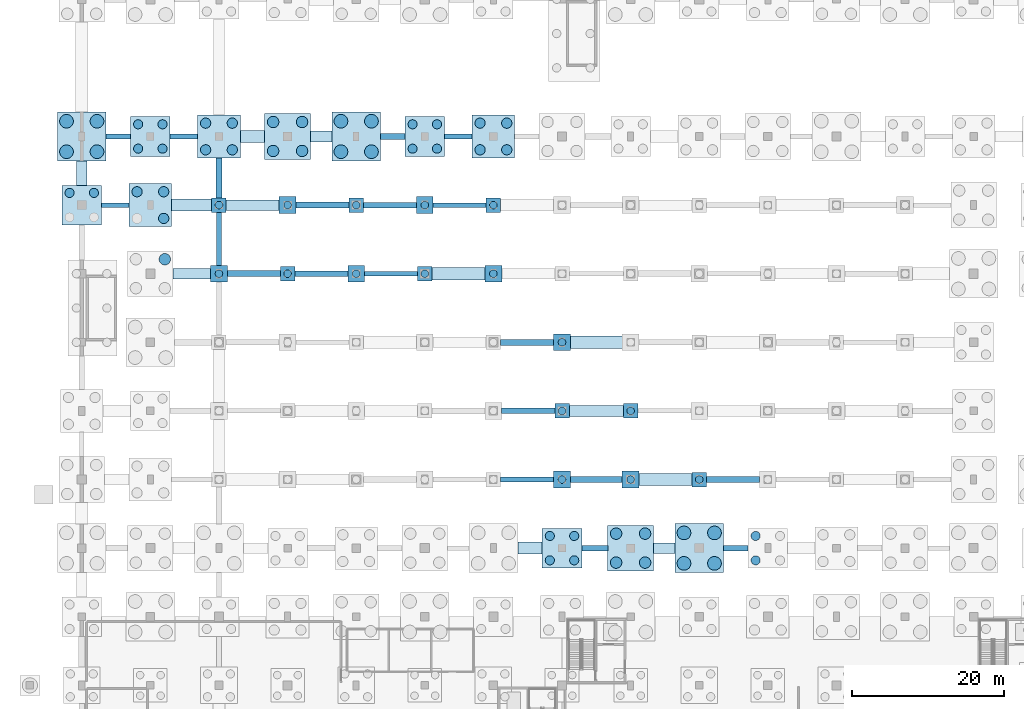
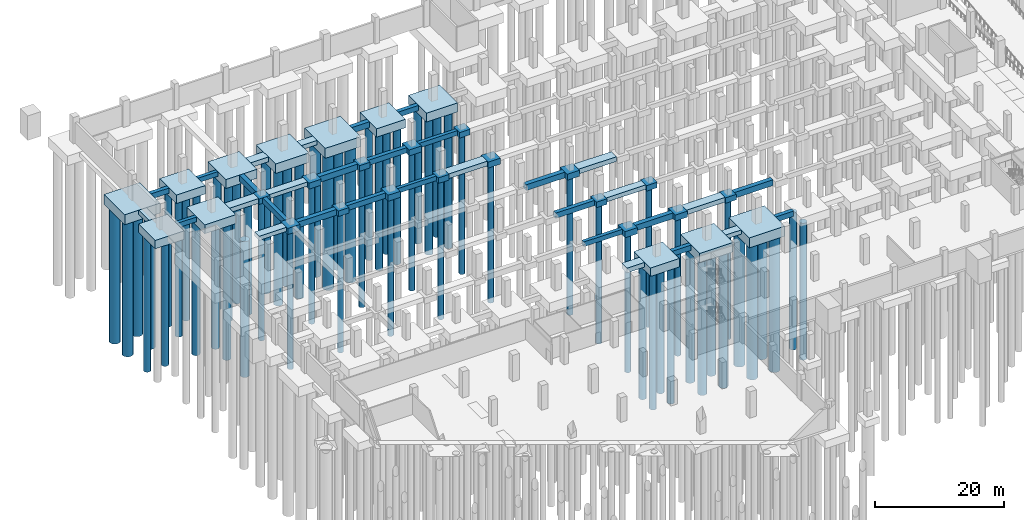
# One storey, part 5 of 37: 64 piles, 60 footings.
"""IFC4 building model written with IfcOpenShell, lengths in metres."""

import ifcopenshell
import ifcopenshell.guid

model = None  # the IFC model being written
_history = None  # IfcOwnerHistory: only IFC2X3 demands one
_inside = {}  # id of a spatial element -> (the spatial element, [elements in it])
_under = {}  # id of a project, library or spatial element -> (it, [spatial elements below it])
_declared = {}  # id of a project -> (the project, [libraries it declares])
_typed = {}  # id of a type object -> (the type object, [elements of that type])
_made_of = {}  # id of a material, layer set ... -> (it, [elements and type objects made of it])


def new_model(schema):
    """Start an empty IFC model of exactly this schema.

    Asked for "IFC4X3", IfcOpenShell would pick the latest addendum, in which some entities
    have other attributes; the version numbers below select the first issue.
    IFC2X3 requires an IfcOwnerHistory on every rooted entity: one is made here for all.
    """
    global model, _history
    if schema == "IFC4X3":
        model = ifcopenshell.file(schema_version=(4, 3, 0, 0))
    else:
        model = ifcopenshell.file(schema=schema)
    _inside.clear()
    _under.clear()
    _declared.clear()
    _typed.clear()
    _made_of.clear()
    _history = None
    if model.schema == "IFC2X3":
        org = make("IfcOrganization", Name="unknown")
        user = make(
            "IfcPersonAndOrganization",
            ThePerson=make("IfcPerson", FamilyName="unknown"),
            TheOrganization=org,
        )
        app = make(
            "IfcApplication",
            ApplicationDeveloper=org,
            Version="unknown",
            ApplicationFullName="unknown",
            ApplicationIdentifier="unknown",
        )
        _history = make(
            "IfcOwnerHistory",
            OwningUser=user,
            OwningApplication=app,
            ChangeAction="ADDED",
            CreationDate=0,
        )
    return model


def make(cls, **values):
    """One entity of the class cls with the attributes given. An attribute that is None is left unset."""
    return model.create_entity(
        cls, **{name: value for name, value in values.items() if value is not None}
    )


def rooted(cls, **values):
    """An entity with a GlobalId (a new one), such as an element, a storey or a relation."""
    return make(cls, GlobalId=ifcopenshell.guid.new(), OwnerHistory=_history, **values)


def si_unit(unit_type, name, prefix=None):
    """IfcSIUnit, for example si_unit("LENGTHUNIT", "METRE", prefix="MILLI")."""
    return make("IfcSIUnit", UnitType=unit_type, Prefix=prefix, Name=name)


def assignment(units):
    """IfcUnitAssignment: the units of a project."""
    return None if units is None else make("IfcUnitAssignment", Units=units)


def point(xyz):
    """IfcCartesianPoint."""
    return None if xyz is None else make("IfcCartesianPoint", Coordinates=xyz)


def direction(xyz):
    """IfcDirection."""
    return None if xyz is None else make("IfcDirection", DirectionRatios=xyz)


def frame(location, z_axis=None, x_axis=None):
    """IfcAxis2Placement3D, a coordinate frame: its origin and axes. An axis left out is left unset."""
    return make(
        "IfcAxis2Placement3D",
        Location=point(location),
        Axis=direction(z_axis),
        RefDirection=direction(x_axis),
    )


def frame_2d(location, x_axis=None):
    """IfcAxis2Placement2D, a coordinate frame in the plane: its origin and x axis."""
    return make(
        "IfcAxis2Placement2D", Location=point(location), RefDirection=direction(x_axis)
    )


def origin():
    """The frame at (0, 0, 0) with its axes left unset."""
    return frame((0.0, 0.0, 0.0))


def origin_2d():
    """The frame at (0, 0) in the plane with its x axis left unset."""
    return frame_2d((0.0, 0.0))


def place(relative_to, where):
    """IfcLocalPlacement: puts the frame where relative to a parent placement (None: the world)."""
    return make(
        "IfcLocalPlacement", PlacementRelTo=relative_to, RelativePlacement=where
    )


def context(
    kind, dimensions, precision=None, world=None, true_north=None, identifier=None
):
    """IfcGeometricRepresentationContext, for example the 3D "Model" context."""
    return make(
        "IfcGeometricRepresentationContext",
        ContextIdentifier=identifier,
        ContextType=kind,
        CoordinateSpaceDimension=dimensions,
        Precision=precision,
        WorldCoordinateSystem=world,
        TrueNorth=true_north,
    )


def subcontext(parent, identifier, kind, view, scale=None):
    """IfcGeometricRepresentationSubContext, for example "Body" below "Model"."""
    return make(
        "IfcGeometricRepresentationSubContext",
        ContextIdentifier=identifier,
        ContextType=kind,
        ParentContext=parent,
        TargetScale=scale,
        TargetView=view,
    )


def project(units=None, contexts=None):
    """IfcProject with its units and contexts."""
    return rooted(
        "IfcProject",
        Name="project",
        RepresentationContexts=contexts,
        UnitsInContext=assignment(units),
    )


def spatial(cls, under=None, at=None, **own):
    """A site, building, storey or space (cls), placed at a placement, below another one or the project."""
    s = rooted(cls, ObjectPlacement=at, **own)
    if under is not None:
        _under.setdefault(under.id(), (under, []))[1].append(s)
    return s


def profile(cls, at=None, kind="AREA", **sizes):
    """A parametric profile (cls). Its sizes go by their IFC names, for example OverallWidth=200.0."""
    return make(cls, ProfileType=kind, Position=at, **sizes)


def rectangle(**sizes):
    """IfcRectangleProfileDef."""
    return profile("IfcRectangleProfileDef", **sizes)


def circle(**sizes):
    """IfcCircleProfileDef."""
    return profile("IfcCircleProfileDef", **sizes)


def extrude(swept, where, along, depth):
    """IfcExtrudedAreaSolid: the profile swept, set in the frame where, extruded along a direction by depth."""
    return make(
        "IfcExtrudedAreaSolid",
        SweptArea=swept,
        Position=where,
        ExtrudedDirection=direction(along),
        Depth=depth,
    )


def shape(context_of_items, identifier, shape_type, items):
    """IfcShapeRepresentation: the items that make up one representation, for example the "Body"."""
    return make(
        "IfcShapeRepresentation",
        ContextOfItems=context_of_items,
        RepresentationIdentifier=identifier,
        RepresentationType=shape_type,
        Items=items,
    )


def material(Name=None, Category=None):
    """IfcMaterial."""
    return make("IfcMaterial", Name=Name, Category=Category)


def material_profile(
    of_material, cross_section, Name=None, Category=None, Priority=None
):
    """IfcMaterialProfile: a cross section and its material."""
    return make(
        "IfcMaterialProfile",
        Name=Name,
        Material=of_material,
        Profile=cross_section,
        Priority=Priority,
        Category=Category,
    )


def profile_set(profiles, Name=None, composite=None):
    """IfcMaterialProfileSet."""
    return make(
        "IfcMaterialProfileSet",
        Name=Name,
        MaterialProfiles=profiles,
        CompositeProfile=composite,
    )


def made_of(thing, what):
    """Note that an element or type object is made of a material, layer set ...; save() writes the relation."""
    if what is not None:
        _made_of.setdefault(what.id(), (what, []))[1].append(thing)
    return thing


def type_object(cls, material=None, **own):
    """A type object (cls), such as IfcWallType, which elements share."""
    return made_of(rooted(cls, **own), material)


def element(
    cls,
    number,
    at=None,
    inside=None,
    cuts=None,
    type_object=None,
    material=None,
    context=None,
    identifier="Body",
    shape_type=None,
    held_by="IfcProductDefinitionShape",
    body=None,
    shapes=None,
    **own,
):
    """One element of the class cls, such as IfcWall. Its Tag is "e" and its number.

    at: its placement. inside: the storey or other place that contains it. cuts: it is an
    opening in that element (IfcRelVoidsElement). A single representation is given by context,
    identifier, shape_type and body (its items); several are given by shapes. held_by: the class
    of the entity that holds the representations. save() writes the other relations.
    """
    e = rooted(cls, Tag="e%d" % number, ObjectPlacement=at, **own)
    if body is not None:
        shapes = [shape(context, identifier, shape_type, body)]
    if shapes is not None:
        e.Representation = make(held_by, Representations=shapes)
    if inside is not None:
        _inside.setdefault(inside.id(), (inside, []))[1].append(e)
    if cuts is not None:
        rooted(
            "IfcRelVoidsElement", RelatingBuildingElement=cuts, RelatedOpeningElement=e
        )
    if type_object is not None:
        _typed.setdefault(type_object.id(), (type_object, []))[1].append(e)
    return made_of(e, material)


def aggregate(whole, parts):
    """IfcRelAggregates: a whole, such as a stair, and the parts it consists of."""
    return rooted("IfcRelAggregates", RelatingObject=whole, RelatedObjects=parts)


def save(model, path):
    """Write the relations noted so far, then the file.

    IfcRelAggregates (storeys below a building ...), IfcRelContainedInSpatialStructure (elements
    in a storey), IfcRelDefinesByType, IfcRelAssociatesMaterial and IfcRelDeclares: one each for
    every whole, place, type object, material and project.
    """
    for whole, parts in _under.values():
        aggregate(whole, parts)
    for where, things in _inside.values():
        rooted(
            "IfcRelContainedInSpatialStructure",
            RelatedElements=things,
            RelatingStructure=where,
        )
    for kind, things in _typed.values():
        rooted("IfcRelDefinesByType", RelatedObjects=things, RelatingType=kind)
    for what, things in _made_of.values():
        rooted("IfcRelAssociatesMaterial", RelatedObjects=things, RelatingMaterial=what)
    for by, libraries in _declared.values():
        rooted("IfcRelDeclares", RelatingContext=by, RelatedDefinitions=libraries)
    model.write(path)


model = new_model("IFC4")

# Units and contexts
model_context = context("Model", 3, precision=1e-05, world=origin(), true_north=direction((0.0, 1.0)))
body_context = subcontext(model_context, "Body", "Model", "MODEL_VIEW")
ifc_project = project(units=[si_unit("LENGTHUNIT", "METRE"), si_unit("AREAUNIT", "SQUARE_METRE"), si_unit("VOLUMEUNIT", "CUBIC_METRE"), si_unit("PLANEANGLEUNIT", "RADIAN"), si_unit("MASSUNIT", "GRAM", prefix="KILO")], contexts=[model_context])

# Site, building, storey
site_placement = place(None, origin())
site = spatial("IfcSite", under=ifc_project, at=site_placement, CompositionType="ELEMENT")
building_placement = place(site_placement, origin())
building = spatial("IfcBuilding", under=site, at=building_placement, Name="Barlavento Convention Centre", CompositionType="ELEMENT")
storey_placement = place(building_placement, frame((0.0, 0.0, -5.0)))
storey = spatial("IfcBuildingStorey", under=building, at=storey_placement, Name="B1", CompositionType="ELEMENT", Elevation=-5.0)

# Footings
ifc_material = material(Name="Concrete C40/50", Category="concrete")
footing_type_1 = type_object("IfcFootingType", Name="STR-FND-GB-600X900", PredefinedType="FOOTING_BEAM", material=ifc_material)
for number, where, z_axis, x_axis, name in (
    (1, (4.39990234375, 108.0, -0.89990234375), (0.0, 0.0, 1.0), (1.0, 0.0, 0.0), "Ground tie footing GB01"),
    (2, (13.39990234375, 117.0, -0.89990234375), (0.0, 0.0, 1.0), (1.0, 0.0, 0.0), "Ground tie footing GB01"),
):
    element("IfcFooting", number, at=place(storey_placement, frame(where, z_axis=z_axis, x_axis=x_axis)), inside=storey, type_object=footing_type_1, Name=name, PredefinedType="FOOTING_BEAM", context=body_context, shape_type="SweptSolid", body=[
        extrude(rectangle(XDim=3.610107421875, YDim=0.60009765625, at=origin_2d()), origin(), (0.0, 0.0, 1.0), 0.89990234375),
    ])
for number, where, z_axis, x_axis, name in (
    (3, (40.574951171875, 99.0, -0.89990234375), (0.0, 0.0, 1.0), (1.0, 0.0, 0.0), "Ground tie footing GB01"),
    (4, (49.574951171875, 108.0, -0.89990234375), (0.0, 0.0, 1.0), (1.0, 0.0, 0.0), "Ground tie footing GB01"),
    (5, (58.425048828125, 72.0, -0.89990234375), (0.0, 0.0, 1.0), (1.0, 0.0, 0.0), "Ground tie footing GB01"),
):
    element("IfcFooting", number, at=place(storey_placement, frame(where, z_axis=z_axis, x_axis=x_axis)), inside=storey, type_object=footing_type_1, Name=name, PredefinedType="FOOTING_BEAM", context=body_context, shape_type="SweptSolid", body=[
        extrude(rectangle(XDim=6.9599609375, YDim=0.60009765625, at=origin_2d()), origin(), (0.0, 0.0, 1.0), 0.89990234375),
    ])
footing_type_2 = type_object("IfcFootingType", Name="STR-FND-GB-700X1000", PredefinedType="FOOTING_BEAM", material=ifc_material)
footing_1_placement = place(storey_placement, frame((4.800048828125, 117.0, -1.0), z_axis=(0.0, 0.0, 1.0), x_axis=(1.0, 0.0, 0.0)))
element("IfcFooting", 6, at=footing_1_placement, inside=storey, type_object=footing_type_2, Name="Ground tie footing GB02", PredefinedType="FOOTING_BEAM", context=body_context, shape_type="SweptSolid", body=[
    extrude(rectangle(XDim=3.2099609375, YDim=0.699951171875, at=origin_2d()), origin(), (0.0, 0.0, 1.0), 1.0),
])
for number, where, z_axis, x_axis, name in (
    (7, (31.425048828125, 99.0, -1.0), (0.0, 0.0, 1.0), (1.0, 0.0, 0.0), "Ground tie footing GB02"),
    (8, (40.425048828125, 108.0, -1.0), (0.0, 0.0, 1.0), (1.0, 0.0, 0.0), "Ground tie footing GB02"),
):
    element("IfcFooting", number, at=place(storey_placement, frame(where, z_axis=z_axis, x_axis=x_axis)), inside=storey, type_object=footing_type_2, Name=name, PredefinedType="FOOTING_BEAM", context=body_context, shape_type="SweptSolid", body=[
        extrude(rectangle(XDim=6.9599609375, YDim=0.699951171875, at=origin_2d()), origin(), (0.0, 0.0, 1.0), 1.0),
    ])
footing_2_placement = place(storey_placement, frame((49.39990234375, 117.0, -1.0), z_axis=(0.0, 0.0, 1.0), x_axis=(1.0, 0.0, 0.0)))
element("IfcFooting", 9, at=footing_2_placement, inside=storey, type_object=footing_type_2, Name="Ground tie footing GB02", PredefinedType="FOOTING_BEAM", context=body_context, shape_type="SweptSolid", body=[
    extrude(rectangle(XDim=3.610107421875, YDim=0.699951171875, at=origin_2d()), origin(), (0.0, 0.0, 1.0), 1.0),
])
footing_3_placement = place(storey_placement, frame((58.574951171875, 81.0, -1.0), z_axis=(0.0, 0.0, 1.0), x_axis=(1.0, 0.0, 0.0)))
element("IfcFooting", 10, at=footing_3_placement, inside=storey, type_object=footing_type_2, Name="Ground tie footing GB02", PredefinedType="FOOTING_BEAM", context=body_context, shape_type="SweptSolid", body=[
    extrude(rectangle(XDim=6.9599609375, YDim=0.699951171875, at=origin_2d()), origin(), (0.0, 0.0, 1.0), 1.0),
])
footing_4_placement = place(storey_placement, frame((67.300048828125, 63.0, -1.0), z_axis=(0.0, 0.0, 1.0), x_axis=(1.0, 0.0, 0.0)))
element("IfcFooting", 11, at=footing_4_placement, inside=storey, type_object=footing_type_2, Name="Ground tie footing GB02", PredefinedType="FOOTING_BEAM", context=body_context, shape_type="SweptSolid", body=[
    extrude(rectangle(XDim=3.409912109375, YDim=0.699951171875, at=origin_2d()), origin(), (0.0, 0.0, 1.0), 1.0),
])
footing_5_placement = place(storey_placement, frame((85.800048828125, 63.0, -1.0), z_axis=(0.0, 0.0, 1.0), x_axis=(1.0, 0.0, 0.0)))
element("IfcFooting", 12, at=footing_5_placement, inside=storey, type_object=footing_type_2, Name="Ground tie footing GB02", PredefinedType="FOOTING_BEAM", context=body_context, shape_type="SweptSolid", body=[
    extrude(rectangle(XDim=3.2099609375, YDim=0.699951171875, at=origin_2d()), origin(), (0.0, 0.0, 1.0), 1.0),
])
footing_6_placement = place(storey_placement, frame((18.0, 103.574951171875, -1.0), z_axis=(0.0, 0.0, 1.0), x_axis=(1.0, 0.0, 0.0)))
element("IfcFooting", 13, at=footing_6_placement, inside=storey, type_object=footing_type_2, Name="Ground tie footing GB02", PredefinedType="FOOTING_BEAM", context=body_context, shape_type="SweptSolid", body=[
    extrude(rectangle(XDim=0.699951171875, YDim=6.9599609375, at=origin_2d()), origin(), (0.0, 0.0, 1.0), 1.0),
])
footing_type_3 = type_object("IfcFootingType", Name="STR-FND-GB-800X1100", PredefinedType="FOOTING_BEAM", material=ifc_material)
for number, where, z_axis, x_axis, name in (
    (14, (22.574951171875, 99.0, -1.10009765625), (0.0, 0.0, 1.0), (1.0, 0.0, 0.0), "Ground tie footing GB03"),
    (15, (31.574951171875, 108.0, -1.10009765625), (0.0, 0.0, 1.0), (1.0, 0.0, 0.0), "Ground tie footing GB03"),
):
    element("IfcFooting", number, at=place(storey_placement, frame(where, z_axis=z_axis, x_axis=x_axis)), inside=storey, type_object=footing_type_3, Name=name, PredefinedType="FOOTING_BEAM", context=body_context, shape_type="SweptSolid", body=[
        extrude(rectangle(XDim=6.9599609375, YDim=0.800048828125, at=origin_2d()), origin(), (0.0, 0.0, 1.0), 1.10009765625),
    ])
footing_7_placement = place(storey_placement, frame((40.800048828125, 117.0, -1.10009765625), z_axis=(0.0, 0.0, 1.0), x_axis=(1.0, 0.0, 0.0)))
element("IfcFooting", 16, at=footing_7_placement, inside=storey, type_object=footing_type_3, Name="Ground tie footing GB03", PredefinedType="FOOTING_BEAM", context=body_context, shape_type="SweptSolid", body=[
    extrude(rectangle(XDim=3.2099609375, YDim=0.800048828125, at=origin_2d()), origin(), (0.0, 0.0, 1.0), 1.10009765625),
])
footing_8_placement = place(storey_placement, frame((58.425048828125, 90.0, -1.10009765625), z_axis=(0.0, 0.0, 1.0), x_axis=(1.0, 0.0, 0.0)))
element("IfcFooting", 17, at=footing_8_placement, inside=storey, type_object=footing_type_3, Name="Ground tie footing GB03", PredefinedType="FOOTING_BEAM", context=body_context, shape_type="SweptSolid", body=[
    extrude(rectangle(XDim=6.9599609375, YDim=0.800048828125, at=origin_2d()), origin(), (0.0, 0.0, 1.0), 1.10009765625),
])
footing_9_placement = place(storey_placement, frame((67.5, 72.0, -1.10009765625), z_axis=(0.0, 0.0, 1.0), x_axis=(1.0, 0.0, 0.0)))
element("IfcFooting", 18, at=footing_9_placement, inside=storey, type_object=footing_type_3, Name="Ground tie footing GB03", PredefinedType="FOOTING_BEAM", context=body_context, shape_type="SweptSolid", body=[
    extrude(rectangle(XDim=6.81005859375, YDim=0.800048828125, at=origin_2d()), origin(), (0.0, 0.0, 1.0), 1.10009765625),
])
footing_10_placement = place(storey_placement, frame((85.425048828125, 72.0, -1.10009765625), z_axis=(0.0, 0.0, 1.0), x_axis=(1.0, 0.0, 0.0)))
element("IfcFooting", 19, at=footing_10_placement, inside=storey, type_object=footing_type_3, Name="Ground tie footing GB03", PredefinedType="FOOTING_BEAM", context=body_context, shape_type="SweptSolid", body=[
    extrude(rectangle(XDim=6.9599609375, YDim=0.800048828125, at=origin_2d()), origin(), (0.0, 0.0, 1.0), 1.10009765625),
])
footing_11_placement = place(storey_placement, frame((18.0, 111.574951171875, -1.10009765625), z_axis=(0.0, 0.0, 1.0), x_axis=(1.0, 0.0, 0.0)))
element("IfcFooting", 20, at=footing_11_placement, inside=storey, type_object=footing_type_3, Name="Ground tie footing GB03", PredefinedType="FOOTING_BEAM", context=body_context, shape_type="SweptSolid", body=[
    extrude(rectangle(XDim=0.800048828125, YDim=5.260009765625, at=origin_2d()), origin(), (0.0, 0.0, 1.0), 1.10009765625),
])
footing_type_4 = type_object("IfcFootingType", Name="STR-FND-PC1-1900", PredefinedType="PILE_CAP", material=ifc_material)
for number, where, z_axis, x_axis, name in (
    (21, (18.0, 108.0, -1.0498046875), (0.0, 0.0, 1.0), (1.0, 0.0, 0.0), "Pile cap PC01 at 3-N"),
    (22, (27.0, 99.0, -1.0498046875), (0.0, 0.0, 1.0), (1.0, 0.0, 0.0), "Pile cap PC01 at 4-M"),
    (23, (36.0, 108.0, -1.0498046875), (0.0, 0.0, 1.0), (1.0, 0.0, 0.0), "Pile cap PC01 at 5-N"),
    (24, (45.0, 99.0, -1.0498046875), (0.0, 0.0, 1.0), (1.0, 0.0, 0.0), "Pile cap PC01 at 6-M"),
    (25, (54.0, 108.0, -1.0498046875), (0.0, 0.0, 1.0), (1.0, 0.0, 0.0), "Pile cap PC01 at 7-N"),
    (26, (63.0, 81.0, -1.0498046875), (0.0, 0.0, 1.0), (1.0, 0.0, 0.0), "Pile cap PC01 at 8-K"),
    (27, (72.0, 81.0, -1.0498046875), (0.0, 0.0, 1.0), (1.0, 0.0, 0.0), "Pile cap PC01 at 9-K"),
    (28, (81.0, 72.0, -1.0498046875), (0.0, 0.0, 1.0), (1.0, 0.0, 0.0), "Pile cap PC01 at 10-J"),
):
    element("IfcFooting", number, at=place(storey_placement, frame(where, z_axis=z_axis, x_axis=x_axis)), inside=storey, type_object=footing_type_4, Name=name, PredefinedType="PILE_CAP", context=body_context, shape_type="SweptSolid", body=[
        extrude(rectangle(XDim=1.89990234375, YDim=1.89990234375, at=origin_2d()), origin(), (0.0, 0.0, 1.0), 1.050048828125),
    ])
footing_type_5 = type_object("IfcFootingType", Name="STR-FND-PC1-2200", PredefinedType="PILE_CAP", material=ifc_material)
for number, where, z_axis, x_axis, name in (
    (29, (18.0, 99.0, -1.14990234375), (0.0, 0.0, 1.0), (1.0, 0.0, 0.0), "Pile cap PC02 at 3-M"),
    (30, (27.0, 108.0, -1.14990234375), (0.0, 0.0, 1.0), (1.0, 0.0, 0.0), "Pile cap PC02 at 4-N"),
    (31, (36.0, 99.0, -1.14990234375), (0.0, 0.0, 1.0), (1.0, 0.0, 0.0), "Pile cap PC02 at 5-M"),
    (32, (45.0, 108.0, -1.14990234375), (0.0, 0.0, 1.0), (1.0, 0.0, 0.0), "Pile cap PC02 at 6-N"),
    (33, (54.0, 99.0, -1.14990234375), (0.0, 0.0, 1.0), (1.0, 0.0, 0.0), "Pile cap PC02 at 7-M"),
    (34, (63.0, 72.0, -1.14990234375), (0.0, 0.0, 1.0), (1.0, 0.0, 0.0), "Pile cap PC02 at 8-J"),
    (35, (63.0, 90.0, -1.14990234375), (0.0, 0.0, 1.0), (1.0, 0.0, 0.0), "Pile cap PC02 at 8-L"),
    (36, (72.0, 72.0, -1.14990234375), (0.0, 0.0, 1.0), (1.0, 0.0, 0.0), "Pile cap PC02 at 9-J"),
):
    element("IfcFooting", number, at=place(storey_placement, frame(where, z_axis=z_axis, x_axis=x_axis)), inside=storey, type_object=footing_type_5, Name=name, PredefinedType="PILE_CAP", context=body_context, shape_type="SweptSolid", body=[
        extrude(rectangle(XDim=2.199951171875, YDim=2.199951171875, at=origin_2d()), origin(), (0.0, 0.0, 1.0), 1.14990234375),
    ])
footing_type_6 = type_object("IfcFootingType", Name="STR-FND-PC4-5200", PredefinedType="PILE_CAP", material=ifc_material)
for number, where, z_axis, x_axis, name in (
    (37, (0.0, 108.0, -1.60009765625), (0.0, 0.0, 1.0), (1.0, 0.0, 0.0), "Pile cap PC09 at 1-N"),
    (38, (9.0, 117.0, -1.60009765625), (0.0, 0.0, 1.0), (1.0, 0.0, 0.0), "Pile cap PC09 at 2-P"),
    (39, (45.0, 117.0, -1.60009765625), (0.0, 0.0, 1.0), (1.0, 0.0, 0.0), "Pile cap PC09 at 6-P"),
    (40, (63.0, 63.0, -1.60009765625), (0.0, 0.0, 1.0), (1.0, 0.0, 0.0), "Pile cap PC09 at 8-H"),
):
    element("IfcFooting", number, at=place(storey_placement, frame(where, z_axis=z_axis, x_axis=x_axis)), inside=storey, type_object=footing_type_6, Name=name, PredefinedType="PILE_CAP", context=body_context, shape_type="SweptSolid", body=[
        extrude(rectangle(XDim=5.199951171875, YDim=5.199951171875, at=origin_2d()), origin(), (0.0, 0.0, 1.0), 1.60009765625),
    ])
footing_type_7 = type_object("IfcFootingType", Name="STR-FND-PC4-5600", PredefinedType="PILE_CAP", material=ifc_material)
for number, where, z_axis, x_axis, name in (
    (41, (9.0, 108.0, -1.7001953125), (0.0, 0.0, 1.0), (1.0, 0.0, 0.0), "Pile cap PC10 at 2-N"),
    (42, (18.0, 117.0, -1.7001953125), (0.0, 0.0, 1.0), (1.0, 0.0, 0.0), "Pile cap PC10 at 3-P"),
    (43, (54.0, 117.0, -1.7001953125), (0.0, 0.0, 1.0), (1.0, 0.0, 0.0), "Pile cap PC10 at 7-P"),
):
    element("IfcFooting", number, at=place(storey_placement, frame(where, z_axis=z_axis, x_axis=x_axis)), inside=storey, type_object=footing_type_7, Name=name, PredefinedType="PILE_CAP", context=body_context, shape_type="SweptSolid", body=[
        extrude(rectangle(XDim=5.60009765625, YDim=5.60009765625, at=origin_2d()), origin(), (0.0, 0.0, 1.0), 1.699951171875),
    ])
footing_type_8 = type_object("IfcFootingType", Name="STR-FND-PC4-6000", PredefinedType="PILE_CAP", material=ifc_material)
for number, where, z_axis, x_axis, name in (
    (44, (27.0, 117.0, -1.7998046875), (0.0, 0.0, 1.0), (1.0, 0.0, 0.0), "Pile cap PC11 at 4-P"),
    (45, (72.0, 63.0, -1.7998046875), (0.0, 0.0, 1.0), (1.0, 0.0, 0.0), "Pile cap PC11 at 9-H"),
):
    element("IfcFooting", number, at=place(storey_placement, frame(where, z_axis=z_axis, x_axis=x_axis)), inside=storey, type_object=footing_type_8, Name=name, PredefinedType="PILE_CAP", context=body_context, shape_type="SweptSolid", body=[
        extrude(rectangle(XDim=6.0, YDim=6.0, at=origin_2d()), origin(), (0.0, 0.0, 1.0), 1.800048828125),
    ])
footing_type_9 = type_object("IfcFootingType", Name="STR-FND-PC4-6400", PredefinedType="PILE_CAP", material=ifc_material)
for number, where, z_axis, x_axis, name in (
    (46, (0.0, 117.0, -1.89990234375), (0.0, 0.0, 1.0), (1.0, 0.0, 0.0), "Pile cap PC12 at 1-P"),
    (47, (36.0, 117.0, -1.89990234375), (0.0, 0.0, 1.0), (1.0, 0.0, 0.0), "Pile cap PC12 at 5-P"),
    (48, (81.0, 63.0, -1.89990234375), (0.0, 0.0, 1.0), (1.0, 0.0, 0.0), "Pile cap PC12 at 10-H"),
):
    element("IfcFooting", number, at=place(storey_placement, frame(where, z_axis=z_axis, x_axis=x_axis)), inside=storey, type_object=footing_type_9, Name=name, PredefinedType="PILE_CAP", context=body_context, shape_type="SweptSolid", body=[
        extrude(rectangle(XDim=6.39990234375, YDim=6.39990234375, at=origin_2d()), origin(), (0.0, 0.0, 1.0), 1.89990234375),
    ])
footing_type_10 = type_object("IfcFootingType", Name="STR-FND-SF-1400X800", PredefinedType="STRIP_FOOTING", material=ifc_material)
footing_12_placement = place(storey_placement, frame((14.449951171875, 99.0, -0.7998046875), z_axis=(0.0, 0.0, 1.0), x_axis=(1.0, 0.0, 0.0)))
element("IfcFooting", 49, at=footing_12_placement, inside=storey, type_object=footing_type_10, Name="Ground tie footing SF01", PredefinedType="STRIP_FOOTING", context=body_context, shape_type="SweptSolid", body=[
    extrude(rectangle(XDim=4.909912109375, YDim=1.39990234375, at=origin_2d()), origin(), (0.0, 0.0, 1.0), 0.800048828125),
])
footing_13_placement = place(storey_placement, frame((22.425048828125, 108.0, -0.7998046875), z_axis=(0.0, 0.0, 1.0), x_axis=(1.0, 0.0, 0.0)))
element("IfcFooting", 50, at=footing_13_placement, inside=storey, type_object=footing_type_10, Name="Ground tie footing SF01", PredefinedType="STRIP_FOOTING", context=body_context, shape_type="SweptSolid", body=[
    extrude(rectangle(XDim=6.9599609375, YDim=1.39990234375, at=origin_2d()), origin(), (0.0, 0.0, 1.0), 0.800048828125),
])
footing_14_placement = place(storey_placement, frame((31.39990234375, 117.0, -0.7998046875), z_axis=(0.0, 0.0, 1.0), x_axis=(1.0, 0.0, 0.0)))
element("IfcFooting", 51, at=footing_14_placement, inside=storey, type_object=footing_type_10, Name="Ground tie footing SF01", PredefinedType="STRIP_FOOTING", context=body_context, shape_type="SweptSolid", body=[
    extrude(rectangle(XDim=2.81005859375, YDim=1.39990234375, at=origin_2d()), origin(), (0.0, 0.0, 1.0), 0.800048828125),
])
footing_15_placement = place(storey_placement, frame((67.5, 81.0, -0.7998046875), z_axis=(0.0, 0.0, 1.0), x_axis=(1.0, 0.0, 0.0)))
element("IfcFooting", 52, at=footing_15_placement, inside=storey, type_object=footing_type_10, Name="Ground tie footing SF01", PredefinedType="STRIP_FOOTING", context=body_context, shape_type="SweptSolid", body=[
    extrude(rectangle(XDim=7.110107421875, YDim=1.39990234375, at=origin_2d()), origin(), (0.0, 0.0, 1.0), 0.800048828125),
])
footing_16_placement = place(storey_placement, frame((76.39990234375, 63.0, -0.7998046875), z_axis=(0.0, 0.0, 1.0), x_axis=(1.0, 0.0, 0.0)))
element("IfcFooting", 53, at=footing_16_placement, inside=storey, type_object=footing_type_10, Name="Ground tie footing SF01", PredefinedType="STRIP_FOOTING", context=body_context, shape_type="SweptSolid", body=[
    extrude(rectangle(XDim=2.81005859375, YDim=1.39990234375, at=origin_2d()), origin(), (0.0, 0.0, 1.0), 0.800048828125),
])
footing_17_placement = place(storey_placement, frame((0.0, 112.199951171875, -0.7998046875), z_axis=(0.0, 0.0, 1.0), x_axis=(1.0, 0.0, 0.0)))
element("IfcFooting", 54, at=footing_17_placement, inside=storey, type_object=footing_type_10, Name="Ground tie footing SF01", PredefinedType="STRIP_FOOTING", context=body_context, shape_type="SweptSolid", body=[
    extrude(rectangle(XDim=1.39990234375, YDim=3.2099609375, at=origin_2d()), origin(), (0.0, 0.0, 1.0), 0.800048828125),
])
footing_type_11 = type_object("IfcFootingType", Name="STR-FND-SF-1600X900", PredefinedType="STRIP_FOOTING", material=ifc_material)
footing_18_placement = place(storey_placement, frame((14.425048828125, 108.0, -0.89990234375), z_axis=(0.0, 0.0, 1.0), x_axis=(1.0, 0.0, 0.0)))
element("IfcFooting", 55, at=footing_18_placement, inside=storey, type_object=footing_type_11, Name="Ground tie footing SF02", PredefinedType="STRIP_FOOTING", context=body_context, shape_type="SweptSolid", body=[
    extrude(rectangle(XDim=5.260009765625, YDim=1.60009765625, at=origin_2d()), origin(), (0.0, 0.0, 1.0), 0.89990234375),
])
footing_19_placement = place(storey_placement, frame((22.39990234375, 117.0, -0.89990234375), z_axis=(0.0, 0.0, 1.0), x_axis=(1.0, 0.0, 0.0)))
element("IfcFooting", 56, at=footing_19_placement, inside=storey, type_object=footing_type_11, Name="Ground tie footing SF02", PredefinedType="STRIP_FOOTING", context=body_context, shape_type="SweptSolid", body=[
    extrude(rectangle(XDim=3.2099609375, YDim=1.60009765625, at=origin_2d()), origin(), (0.0, 0.0, 1.0), 0.89990234375),
])
footing_20_placement = place(storey_placement, frame((49.425048828125, 99.0, -0.89990234375), z_axis=(0.0, 0.0, 1.0), x_axis=(1.0, 0.0, 0.0)))
element("IfcFooting", 57, at=footing_20_placement, inside=storey, type_object=footing_type_11, Name="Ground tie footing SF02", PredefinedType="STRIP_FOOTING", context=body_context, shape_type="SweptSolid", body=[
    extrude(rectangle(XDim=6.9599609375, YDim=1.60009765625, at=origin_2d()), origin(), (0.0, 0.0, 1.0), 0.89990234375),
])
footing_21_placement = place(storey_placement, frame((58.800048828125, 63.0, -0.89990234375), z_axis=(0.0, 0.0, 1.0), x_axis=(1.0, 0.0, 0.0)))
element("IfcFooting", 58, at=footing_21_placement, inside=storey, type_object=footing_type_11, Name="Ground tie footing SF02", PredefinedType="STRIP_FOOTING", context=body_context, shape_type="SweptSolid", body=[
    extrude(rectangle(XDim=3.2099609375, YDim=1.60009765625, at=origin_2d()), origin(), (0.0, 0.0, 1.0), 0.89990234375),
])
footing_22_placement = place(storey_placement, frame((67.5, 90.0, -0.89990234375), z_axis=(0.0, 0.0, 1.0), x_axis=(1.0, 0.0, 0.0)))
element("IfcFooting", 59, at=footing_22_placement, inside=storey, type_object=footing_type_11, Name="Ground tie footing SF02", PredefinedType="STRIP_FOOTING", context=body_context, shape_type="SweptSolid", body=[
    extrude(rectangle(XDim=6.81005859375, YDim=1.60009765625, at=origin_2d()), origin(), (0.0, 0.0, 1.0), 0.89990234375),
])
footing_23_placement = place(storey_placement, frame((76.574951171875, 72.0, -0.89990234375), z_axis=(0.0, 0.0, 1.0), x_axis=(1.0, 0.0, 0.0)))
element("IfcFooting", 60, at=footing_23_placement, inside=storey, type_object=footing_type_11, Name="Ground tie footing SF02", PredefinedType="STRIP_FOOTING", context=body_context, shape_type="SweptSolid", body=[
    extrude(rectangle(XDim=6.9599609375, YDim=1.60009765625, at=origin_2d()), origin(), (0.0, 0.0, 1.0), 0.89990234375),
])

# Piles
ifc_material_profile_1 = material_profile(ifc_material, circle(Radius=0.5, at=origin_2d()), Name="BORED PILE 1000")
ifc_profile_set_1 = profile_set([ifc_material_profile_1], Name="Concrete C40/50")
pile_type_1 = type_object("IfcPileType", Name="STR-PIL-B1000", PredefinedType="BORED", material=ifc_profile_set_1)
pile_1_placement = place(storey_placement, frame((18.0, 99.0, -1.050048828125), z_axis=(0.0, 0.0, -1.0), x_axis=(1.0, 0.0, 0.0)))
element("IfcPile", 61, at=pile_1_placement, inside=storey, type_object=pile_type_1, Name="Bored pile P10 under FND-CAP-0040", PredefinedType="BORED", context=body_context, shape_type="SweptSolid", body=[
    extrude(circle(Radius=0.5, at=origin_2d()), origin(), (0.0, 0.0, 1.0), 26.449951171875),
])
for number, where, z_axis, x_axis, name in (
    (62, (18.0, 108.0, -0.949951171875), (0.0, 0.0, -1.0), (1.0, 0.0, 0.0), "Bored pile P10 under FND-CAP-0041"),
    (63, (27.0, 99.0, -0.949951171875), (0.0, 0.0, -1.0), (1.0, 0.0, 0.0), "Bored pile P10 under FND-CAP-0055"),
):
    element("IfcPile", number, at=place(storey_placement, frame(where, z_axis=z_axis, x_axis=x_axis)), inside=storey, type_object=pile_type_1, Name=name, PredefinedType="BORED", context=body_context, shape_type="SweptSolid", body=[
        extrude(circle(Radius=0.5, at=origin_2d()), origin(), (0.0, 0.0, 1.0), 26.550048828125),
    ])
for number, where, z_axis, x_axis, name in (
    (64, (27.0, 108.0, -1.050048828125), (0.0, 0.0, -1.0), (1.0, 0.0, 0.0), "Bored pile P10 under FND-CAP-0056"),
    (65, (36.0, 99.0, -1.050048828125), (0.0, 0.0, -1.0), (1.0, 0.0, 0.0), "Bored pile P10 under FND-CAP-0070"),
):
    element("IfcPile", number, at=place(storey_placement, frame(where, z_axis=z_axis, x_axis=x_axis)), inside=storey, type_object=pile_type_1, Name=name, PredefinedType="BORED", context=body_context, shape_type="SweptSolid", body=[
        extrude(circle(Radius=0.5, at=origin_2d()), origin(), (0.0, 0.0, 1.0), 26.449951171875),
    ])
for number, where, z_axis, x_axis, name in (
    (66, (36.0, 108.0, -0.949951171875), (0.0, 0.0, -1.0), (1.0, 0.0, 0.0), "Bored pile P10 under FND-CAP-0071"),
    (67, (45.0, 99.0, -0.949951171875), (0.0, 0.0, -1.0), (1.0, 0.0, 0.0), "Bored pile P10 under FND-CAP-0085"),
):
    element("IfcPile", number, at=place(storey_placement, frame(where, z_axis=z_axis, x_axis=x_axis)), inside=storey, type_object=pile_type_1, Name=name, PredefinedType="BORED", context=body_context, shape_type="SweptSolid", body=[
        extrude(circle(Radius=0.5, at=origin_2d()), origin(), (0.0, 0.0, 1.0), 26.550048828125),
    ])
for number, where, z_axis, x_axis, name in (
    (68, (45.0, 108.0, -1.050048828125), (0.0, 0.0, -1.0), (1.0, 0.0, 0.0), "Bored pile P10 under FND-CAP-0086"),
    (69, (54.0, 99.0, -1.050048828125), (0.0, 0.0, -1.0), (1.0, 0.0, 0.0), "Bored pile P10 under FND-CAP-0100"),
):
    element("IfcPile", number, at=place(storey_placement, frame(where, z_axis=z_axis, x_axis=x_axis)), inside=storey, type_object=pile_type_1, Name=name, PredefinedType="BORED", context=body_context, shape_type="SweptSolid", body=[
        extrude(circle(Radius=0.5, at=origin_2d()), origin(), (0.0, 0.0, 1.0), 26.449951171875),
    ])
pile_2_placement = place(storey_placement, frame((54.0, 108.0, -0.949951171875), z_axis=(0.0, 0.0, -1.0), x_axis=(1.0, 0.0, 0.0)))
element("IfcPile", 70, at=pile_2_placement, inside=storey, type_object=pile_type_1, Name="Bored pile P10 under FND-CAP-0101", PredefinedType="BORED", context=body_context, shape_type="SweptSolid", body=[
    extrude(circle(Radius=0.5, at=origin_2d()), origin(), (0.0, 0.0, 1.0), 26.550048828125),
])
pile_3_placement = place(storey_placement, frame((63.0, 72.0, -1.050048828125), z_axis=(0.0, 0.0, -1.0), x_axis=(1.0, 0.0, 0.0)))
element("IfcPile", 71, at=pile_3_placement, inside=storey, type_object=pile_type_1, Name="Bored pile P10 under FND-CAP-0112", PredefinedType="BORED", context=body_context, shape_type="SweptSolid", body=[
    extrude(circle(Radius=0.5, at=origin_2d()), origin(), (0.0, 0.0, 1.0), 26.449951171875),
])
pile_4_placement = place(storey_placement, frame((63.0, 81.0, -0.949951171875), z_axis=(0.0, 0.0, -1.0), x_axis=(1.0, 0.0, 0.0)))
element("IfcPile", 72, at=pile_4_placement, inside=storey, type_object=pile_type_1, Name="Bored pile P10 under FND-CAP-0113", PredefinedType="BORED", context=body_context, shape_type="SweptSolid", body=[
    extrude(circle(Radius=0.5, at=origin_2d()), origin(), (0.0, 0.0, 1.0), 26.550048828125),
])
for number, where, z_axis, x_axis, name in (
    (73, (63.0, 90.0, -1.050048828125), (0.0, 0.0, -1.0), (1.0, 0.0, 0.0), "Bored pile P10 under FND-CAP-0114"),
    (74, (72.0, 72.0, -1.050048828125), (0.0, 0.0, -1.0), (1.0, 0.0, 0.0), "Bored pile P10 under FND-CAP-0122"),
):
    element("IfcPile", number, at=place(storey_placement, frame(where, z_axis=z_axis, x_axis=x_axis)), inside=storey, type_object=pile_type_1, Name=name, PredefinedType="BORED", context=body_context, shape_type="SweptSolid", body=[
        extrude(circle(Radius=0.5, at=origin_2d()), origin(), (0.0, 0.0, 1.0), 26.449951171875),
    ])
for number, where, z_axis, x_axis, name in (
    (75, (72.0, 81.0, -0.949951171875), (0.0, 0.0, -1.0), (1.0, 0.0, 0.0), "Bored pile P10 under FND-CAP-0123"),
    (76, (81.0, 72.0, -0.949951171875), (0.0, 0.0, -1.0), (1.0, 0.0, 0.0), "Bored pile P10 under FND-CAP-0133"),
):
    element("IfcPile", number, at=place(storey_placement, frame(where, z_axis=z_axis, x_axis=x_axis)), inside=storey, type_object=pile_type_1, Name=name, PredefinedType="BORED", context=body_context, shape_type="SweptSolid", body=[
        extrude(circle(Radius=0.5, at=origin_2d()), origin(), (0.0, 0.0, 1.0), 26.550048828125),
    ])
ifc_material_profile_2 = material_profile(ifc_material, circle(Radius=0.60009765625, at=origin_2d()), Name="BORED PILE 1200")
ifc_profile_set_2 = profile_set([ifc_material_profile_2], Name="Concrete C40/50")
pile_type_2 = type_object("IfcPileType", Name="STR-PIL-B1200", PredefinedType="BORED", material=ifc_profile_set_2)
for number, where, z_axis, x_axis, name in (
    (77, (-1.60009765625, 109.60009765625, -1.5), (0.0, 0.0, -1.0), (1.0, 0.0, 0.0), "Bored pile P12 under FND-CAP-0011"),
    (78, (1.60009765625, 109.60009765625, -1.5), (0.0, 0.0, -1.0), (1.0, 0.0, 0.0), "Bored pile P12 under FND-CAP-0011"),
    (79, (7.39990234375, 115.39990234375, -1.5), (0.0, 0.0, -1.0), (1.0, 0.0, 0.0), "Bored pile P12 under FND-CAP-0027"),
    (80, (10.60009765625, 115.39990234375, -1.5), (0.0, 0.0, -1.0), (1.0, 0.0, 0.0), "Bored pile P12 under FND-CAP-0027"),
    (81, (7.39990234375, 118.60009765625, -1.5), (0.0, 0.0, -1.0), (1.0, 0.0, 0.0), "Bored pile P12 under FND-CAP-0027"),
    (82, (10.60009765625, 118.60009765625, -1.5), (0.0, 0.0, -1.0), (1.0, 0.0, 0.0), "Bored pile P12 under FND-CAP-0027"),
    (83, (43.39990234375, 115.39990234375, -1.5), (0.0, 0.0, -1.0), (1.0, 0.0, 0.0), "Bored pile P12 under FND-CAP-0087"),
    (84, (46.60009765625, 115.39990234375, -1.5), (0.0, 0.0, -1.0), (1.0, 0.0, 0.0), "Bored pile P12 under FND-CAP-0087"),
    (85, (43.39990234375, 118.60009765625, -1.5), (0.0, 0.0, -1.0), (1.0, 0.0, 0.0), "Bored pile P12 under FND-CAP-0087"),
    (86, (46.60009765625, 118.60009765625, -1.5), (0.0, 0.0, -1.0), (1.0, 0.0, 0.0), "Bored pile P12 under FND-CAP-0087"),
    (87, (61.39990234375, 61.39990234375, -1.5), (0.0, 0.0, -1.0), (1.0, 0.0, 0.0), "Bored pile P12 under FND-CAP-0111"),
    (88, (64.60009765625, 61.39990234375, -1.5), (0.0, 0.0, -1.0), (1.0, 0.0, 0.0), "Bored pile P12 under FND-CAP-0111"),
    (89, (61.39990234375, 64.60009765625, -1.5), (0.0, 0.0, -1.0), (1.0, 0.0, 0.0), "Bored pile P12 under FND-CAP-0111"),
    (90, (64.60009765625, 64.60009765625, -1.5), (0.0, 0.0, -1.0), (1.0, 0.0, 0.0), "Bored pile P12 under FND-CAP-0111"),
    (91, (88.39990234375, 61.39990234375, -1.5), (0.0, 0.0, -1.0), (1.0, 0.0, 0.0), "Bored pile P12 under FND-CAP-0143"),
    (92, (88.39990234375, 64.60009765625, -1.5), (0.0, 0.0, -1.0), (1.0, 0.0, 0.0), "Bored pile P12 under FND-CAP-0143"),
):
    element("IfcPile", number, at=place(storey_placement, frame(where, z_axis=z_axis, x_axis=x_axis)), inside=storey, type_object=pile_type_2, Name=name, PredefinedType="BORED", context=body_context, shape_type="SweptSolid", body=[
        extrude(circle(Radius=0.60009765625, at=origin_2d()), origin(), (0.0, 0.0, 1.0), 26.0),
    ])
ifc_material_profile_3 = material_profile(ifc_material, circle(Radius=0.675048828125, at=origin_2d()), Name="BORED PILE 1350")
ifc_profile_set_3 = profile_set([ifc_material_profile_3], Name="Concrete C40/50")
pile_type_3 = type_object("IfcPileType", Name="STR-PIL-B1350", PredefinedType="BORED", material=ifc_profile_set_3)
for number, where, z_axis, x_axis, name in (
    (93, (10.75, 106.25, -1.60009765625), (0.0, 0.0, -1.0), (1.0, 0.0, 0.0), "Bored pile P13 under FND-CAP-0026"),
    (94, (7.25, 109.75, -1.60009765625), (0.0, 0.0, -1.0), (1.0, 0.0, 0.0), "Bored pile P13 under FND-CAP-0026"),
    (95, (10.75, 109.75, -1.60009765625), (0.0, 0.0, -1.0), (1.0, 0.0, 0.0), "Bored pile P13 under FND-CAP-0026"),
    (96, (16.25, 115.25, -1.60009765625), (0.0, 0.0, -1.0), (1.0, 0.0, 0.0), "Bored pile P13 under FND-CAP-0042"),
    (97, (19.75, 115.25, -1.60009765625), (0.0, 0.0, -1.0), (1.0, 0.0, 0.0), "Bored pile P13 under FND-CAP-0042"),
    (98, (16.25, 118.75, -1.60009765625), (0.0, 0.0, -1.0), (1.0, 0.0, 0.0), "Bored pile P13 under FND-CAP-0042"),
    (99, (19.75, 118.75, -1.60009765625), (0.0, 0.0, -1.0), (1.0, 0.0, 0.0), "Bored pile P13 under FND-CAP-0042"),
    (100, (52.25, 115.25, -1.60009765625), (0.0, 0.0, -1.0), (1.0, 0.0, 0.0), "Bored pile P13 under FND-CAP-0102"),
    (101, (55.75, 115.25, -1.60009765625), (0.0, 0.0, -1.0), (1.0, 0.0, 0.0), "Bored pile P13 under FND-CAP-0102"),
    (102, (52.25, 118.75, -1.60009765625), (0.0, 0.0, -1.0), (1.0, 0.0, 0.0), "Bored pile P13 under FND-CAP-0102"),
    (103, (55.75, 118.75, -1.60009765625), (0.0, 0.0, -1.0), (1.0, 0.0, 0.0), "Bored pile P13 under FND-CAP-0102"),
):
    element("IfcPile", number, at=place(storey_placement, frame(where, z_axis=z_axis, x_axis=x_axis)), inside=storey, type_object=pile_type_3, Name=name, PredefinedType="BORED", context=body_context, shape_type="SweptSolid", body=[
        extrude(circle(Radius=0.675048828125, at=origin_2d()), origin(), (0.0, 0.0, 1.0), 25.89990234375),
    ])
ifc_material_profile_4 = material_profile(ifc_material, circle(Radius=0.75, at=origin_2d()), Name="BORED PILE 1500")
ifc_profile_set_4 = profile_set([ifc_material_profile_4], Name="Concrete C40/50")
pile_type_4 = type_object("IfcPileType", Name="STR-PIL-B1500", PredefinedType="BORED", material=ifc_profile_set_4)
for number, where, z_axis, x_axis, name in (
    (104, (10.89990234375, 100.89990234375, -1.699951171875), (0.0, 0.0, -1.0), (1.0, 0.0, 0.0), "Bored pile P15 under FND-CAP-0025"),
    (105, (25.10009765625, 115.10009765625, -1.699951171875), (0.0, 0.0, -1.0), (1.0, 0.0, 0.0), "Bored pile P15 under FND-CAP-0057"),
    (106, (28.89990234375, 115.10009765625, -1.699951171875), (0.0, 0.0, -1.0), (1.0, 0.0, 0.0), "Bored pile P15 under FND-CAP-0057"),
    (107, (25.10009765625, 118.89990234375, -1.699951171875), (0.0, 0.0, -1.0), (1.0, 0.0, 0.0), "Bored pile P15 under FND-CAP-0057"),
    (108, (28.89990234375, 118.89990234375, -1.699951171875), (0.0, 0.0, -1.0), (1.0, 0.0, 0.0), "Bored pile P15 under FND-CAP-0057"),
    (109, (70.10009765625, 61.10009765625, -1.699951171875), (0.0, 0.0, -1.0), (1.0, 0.0, 0.0), "Bored pile P15 under FND-CAP-0121"),
    (110, (73.89990234375, 61.10009765625, -1.699951171875), (0.0, 0.0, -1.0), (1.0, 0.0, 0.0), "Bored pile P15 under FND-CAP-0121"),
    (111, (70.10009765625, 64.89990234375, -1.699951171875), (0.0, 0.0, -1.0), (1.0, 0.0, 0.0), "Bored pile P15 under FND-CAP-0121"),
    (112, (73.89990234375, 64.89990234375, -1.699951171875), (0.0, 0.0, -1.0), (1.0, 0.0, 0.0), "Bored pile P15 under FND-CAP-0121"),
):
    element("IfcPile", number, at=place(storey_placement, frame(where, z_axis=z_axis, x_axis=x_axis)), inside=storey, type_object=pile_type_4, Name=name, PredefinedType="BORED", context=body_context, shape_type="SweptSolid", body=[
        extrude(circle(Radius=0.75, at=origin_2d()), origin(), (0.0, 0.0, 1.0), 25.800048828125),
    ])
ifc_material_profile_5 = material_profile(ifc_material, circle(Radius=0.89990234375, at=origin_2d()), Name="BORED PILE 1800")
ifc_profile_set_5 = profile_set([ifc_material_profile_5], Name="Concrete C40/50")
pile_type_5 = type_object("IfcPileType", Name="STR-PIL-B1800", PredefinedType="BORED", material=ifc_profile_set_5)
for number, where, z_axis, x_axis, name in (
    (113, (-2.0, 115.0, -1.800048828125), (0.0, 0.0, -1.0), (1.0, 0.0, 0.0), "Bored pile P18 under FND-CAP-0012"),
    (114, (2.0, 115.0, -1.800048828125), (0.0, 0.0, -1.0), (1.0, 0.0, 0.0), "Bored pile P18 under FND-CAP-0012"),
    (115, (-2.0, 119.0, -1.800048828125), (0.0, 0.0, -1.0), (1.0, 0.0, 0.0), "Bored pile P18 under FND-CAP-0012"),
    (116, (2.0, 119.0, -1.800048828125), (0.0, 0.0, -1.0), (1.0, 0.0, 0.0), "Bored pile P18 under FND-CAP-0012"),
    (117, (34.0, 115.0, -1.800048828125), (0.0, 0.0, -1.0), (1.0, 0.0, 0.0), "Bored pile P18 under FND-CAP-0072"),
    (118, (38.0, 115.0, -1.800048828125), (0.0, 0.0, -1.0), (1.0, 0.0, 0.0), "Bored pile P18 under FND-CAP-0072"),
    (119, (34.0, 119.0, -1.800048828125), (0.0, 0.0, -1.0), (1.0, 0.0, 0.0), "Bored pile P18 under FND-CAP-0072"),
    (120, (38.0, 119.0, -1.800048828125), (0.0, 0.0, -1.0), (1.0, 0.0, 0.0), "Bored pile P18 under FND-CAP-0072"),
    (121, (79.0, 61.0, -1.800048828125), (0.0, 0.0, -1.0), (1.0, 0.0, 0.0), "Bored pile P18 under FND-CAP-0132"),
    (122, (83.0, 61.0, -1.800048828125), (0.0, 0.0, -1.0), (1.0, 0.0, 0.0), "Bored pile P18 under FND-CAP-0132"),
    (123, (79.0, 65.0, -1.800048828125), (0.0, 0.0, -1.0), (1.0, 0.0, 0.0), "Bored pile P18 under FND-CAP-0132"),
    (124, (83.0, 65.0, -1.800048828125), (0.0, 0.0, -1.0), (1.0, 0.0, 0.0), "Bored pile P18 under FND-CAP-0132"),
):
    element("IfcPile", number, at=place(storey_placement, frame(where, z_axis=z_axis, x_axis=x_axis)), inside=storey, type_object=pile_type_5, Name=name, PredefinedType="BORED", context=body_context, shape_type="SweptSolid", body=[
        extrude(circle(Radius=0.89990234375, at=origin_2d()), origin(), (0.0, 0.0, 1.0), 25.699951171875),
    ])

save(model, "model.ifc")
